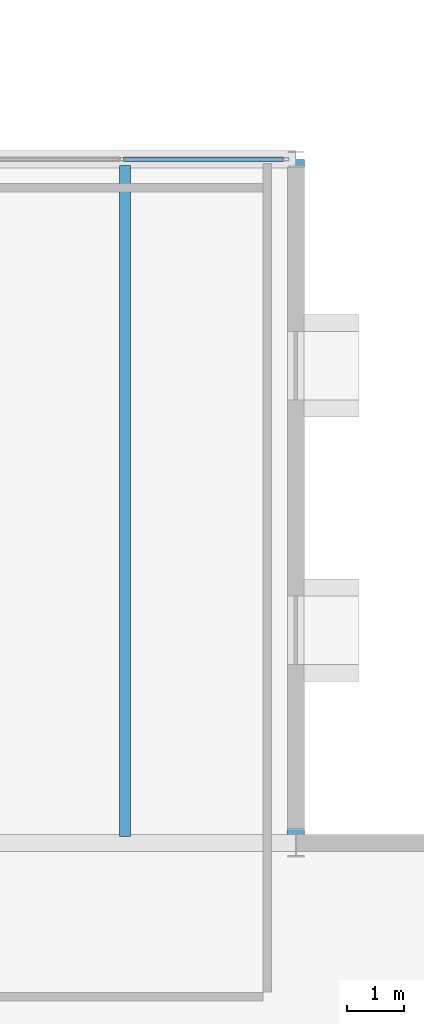
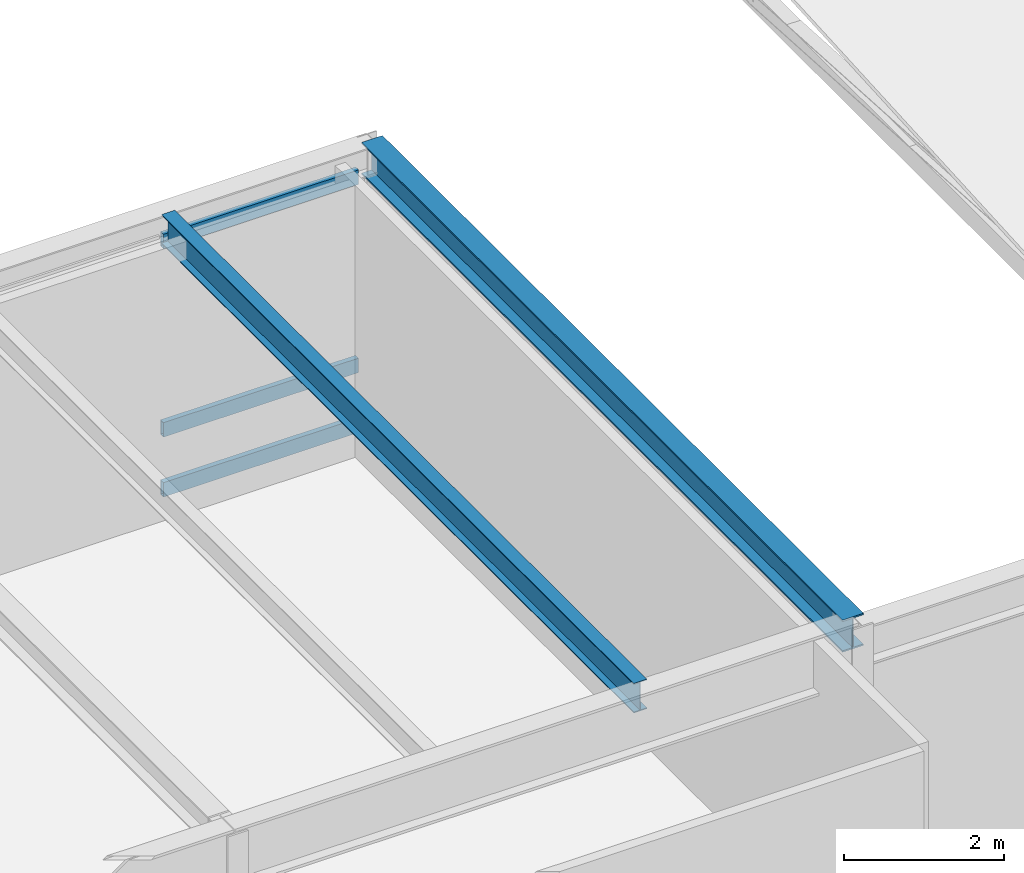
# One storey, part 23 of 142: 3 members, 2 beams, 1 element without a shape of its own.
"""IFC4 building model written with IfcOpenShell, lengths in metres."""

from ifc_helpers import new_model, si_unit, direction, frame, origin, origin_2d, place, context, subcontext, project, spatial, hollow_rectangle, i_section, extrude, material, layer, layer_set, material_profile, profile_set, type_object, element, aggregate, save


model = new_model("IFC4")

# Units and contexts
model_context = context("Model", 3, precision=1e-05, world=origin(), true_north=direction((0.0, 1.0)))
body_context = subcontext(model_context, "Body", "Model", "MODEL_VIEW")
ifc_project = project(units=[si_unit("LENGTHUNIT", "METRE"), si_unit("AREAUNIT", "SQUARE_METRE"), si_unit("VOLUMEUNIT", "CUBIC_METRE"), si_unit("PLANEANGLEUNIT", "RADIAN"), si_unit("MASSUNIT", "GRAM", prefix="KILO")], contexts=[model_context])

# Site, building, storey
site_placement = place(None, origin())
site = spatial("IfcSite", under=ifc_project, at=site_placement, CompositionType="ELEMENT")
building_placement = place(site_placement, origin())
building = spatial("IfcBuilding", under=site, at=building_placement, Name="Montelvaro Courts of Justice", CompositionType="ELEMENT")
storey_placement = place(building_placement, frame((0.0, 0.0, 14.39990234375)))
storey = spatial("IfcBuildingStorey", under=building, at=storey_placement, Name="L03", CompositionType="ELEMENT", Elevation=14.39990234375)

# Beams
ifc_material_1 = material(Name="Steel S355", Category="steel")
ifc_material_profile_1 = material_profile(ifc_material_1, i_section(OverallWidth=0.300048828125, OverallDepth=0.489990234375, WebThickness=0.011962890625, FlangeThickness=0.02294921875, at=origin_2d()), Name="HEA 500")
ifc_profile_set_1 = profile_set([ifc_material_profile_1], Name="Steel S355")
beam_type_1 = type_object("IfcBeamType", Name="Beam_HEA500", PredefinedType="USERDEFINED", material=ifc_profile_set_1)
beam_1_placement = place(storey_placement, frame((45.0, 42.0, 4.05517578125), z_axis=(0.0, 1.0, 0.0), x_axis=(-1.0, 0.0, 0.0)))
element("IfcBeam", 1, at=beam_1_placement, inside=storey, type_object=beam_type_1, Name="Beam B-19 L03", ObjectType="GIRDER", PredefinedType="USERDEFINED", context=body_context, shape_type="SweptSolid", body=[
    extrude(i_section(OverallWidth=0.300048828125, OverallDepth=0.489990234375, WebThickness=0.011962890625, FlangeThickness=0.02294921875, at=origin_2d()), origin(), (0.0, 0.0, 1.0), 12.0),
])
ifc_material_profile_2 = material_profile(ifc_material_1, i_section(OverallWidth=0.18994140625, OverallDepth=0.449951171875, WebThickness=0.009521484375, FlangeThickness=0.0146484375, at=origin_2d()), Name="IPE 450")
ifc_profile_set_2 = profile_set([ifc_material_profile_2], Name="Steel S355")
beam_type_2 = type_object("IfcBeamType", Name="Beam_IPE450", PredefinedType="BEAM", material=ifc_profile_set_2)
beam_2_placement = place(storey_placement, frame((42.0, 42.110107421875, 4.0751953125), z_axis=(0.0, 1.0, 0.0), x_axis=(-1.0, 0.0, 0.0)))
element("IfcBeam", 2, at=beam_2_placement, inside=storey, type_object=beam_type_2, Name="Beam B-09 L03", PredefinedType="BEAM", context=body_context, shape_type="SweptSolid", body=[
    extrude(i_section(OverallWidth=0.18994140625, OverallDepth=0.449951171875, WebThickness=0.009521484375, FlangeThickness=0.0146484375, at=origin_2d()), origin(), (0.0, 0.0, 1.0), 11.77978515625),
])

# Curtain wall, members
ifc_material_2 = material(Name="Anodised aluminium EN AW-6063", Category="aluminium")
ifc_layer = layer(ifc_material_2, 0.159912109375)
ifc_layer_set = layer_set([ifc_layer], Name="Anodised aluminium EN AW-6063")
curtain_wall_type = type_object("IfcCurtainWallType", Name="CurtainWall_18_868x418", PredefinedType="USERDEFINED", material=ifc_layer_set)
curtain_wall_placement = place(storey_placement, origin())
curtain_wall = element("IfcCurtainWall", 3, at=curtain_wall_placement, inside=storey, type_object=curtain_wall_type, Name="Curtain Wall CW-18 (L03)", ObjectType="CURTAIN WALL", PredefinedType="USERDEFINED")
ifc_material_profile_3 = material_profile(ifc_material_2, hollow_rectangle(XDim=0.074951171875, YDim=0.219970703125, WallThickness=0.005615234375, at=origin_2d()), Name="ALU-T 75x220")
ifc_profile_set_3 = profile_set([ifc_material_profile_3], Name="Anodised aluminium EN AW-6063")
member_type = type_object("IfcMemberType", Name="CurtainWall_Transom_75x220", PredefinedType="USERDEFINED", material=ifc_profile_set_3)
member_1_placement = place(storey_placement, frame((44.784912109375, 54.0, 0.03759765625), z_axis=(-1.0, 0.0, 0.0), x_axis=(0.0, -1.0, 0.0)))
member_1 = element("IfcMember", 4, at=member_1_placement, type_object=member_type, Name="CW-18 transom 1.1", ObjectType="TRANSOM", PredefinedType="USERDEFINED", context=body_context, shape_type="SweptSolid", body=[
    extrude(hollow_rectangle(XDim=0.074951171875, YDim=0.219970703125, WallThickness=0.005615234375, at=origin_2d()), origin(), (0.0, 0.0, 1.0), 2.809814453125),
])
member_2_placement = place(storey_placement, frame((44.784912109375, 54.0, 0.9501953125), z_axis=(-1.0, 0.0, 0.0), x_axis=(0.0, -1.0, 0.0)))
member_2 = element("IfcMember", 5, at=member_2_placement, type_object=member_type, Name="CW-18 transom 1.2", ObjectType="TRANSOM", PredefinedType="USERDEFINED", context=body_context, shape_type="SweptSolid", body=[
    extrude(hollow_rectangle(XDim=0.074951171875, YDim=0.219970703125, WallThickness=0.005615234375, at=origin_2d()), origin(), (0.0, 0.0, 1.0), 2.809814453125),
])
member_3_placement = place(storey_placement, frame((44.784912109375, 54.0, 3.817626953125), z_axis=(-1.0, 0.0, 0.0), x_axis=(0.0, -1.0, 0.0)))
member_3 = element("IfcMember", 6, at=member_3_placement, type_object=member_type, Name="CW-18 transom 1.3", ObjectType="TRANSOM", PredefinedType="USERDEFINED", context=body_context, shape_type="SweptSolid", body=[
    extrude(hollow_rectangle(XDim=0.074951171875, YDim=0.219970703125, WallThickness=0.005615234375, at=origin_2d()), origin(), (0.0, 0.0, 1.0), 2.809814453125),
])
aggregate(curtain_wall, [member_1, member_2, member_3])

save(model, "model.ifc")
